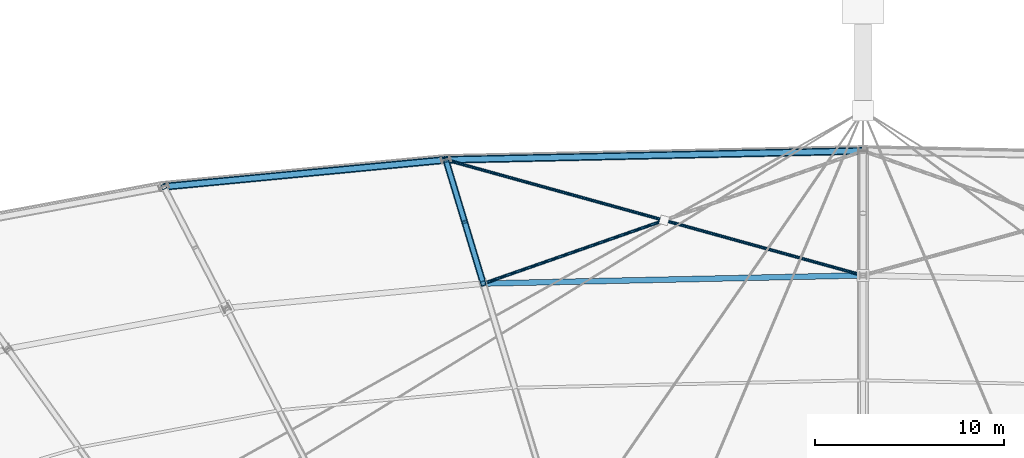
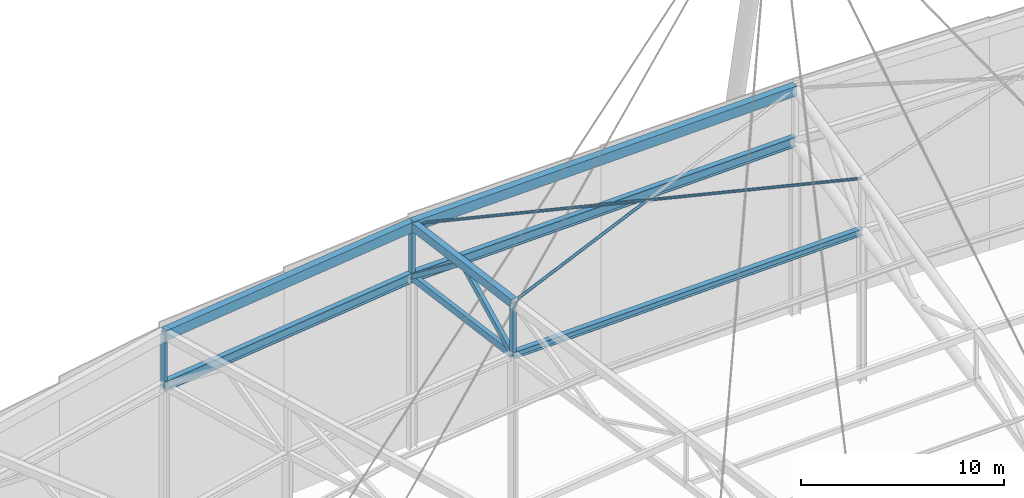
# One storey, part 93 of 143: 7 beams, 7 members.
"""IFC4 building model written with IfcOpenShell, lengths in metres."""

from ifc_helpers import new_model, si_unit, direction, frame, origin, origin_2d, place, context, subcontext, project, spatial, hollow_rectangle, hollow_circle, i_section, extrude, material, material_profile, profile_set, type_object, element, save


model = new_model("IFC4")

# Units and contexts
model_context = context("Model", 3, precision=1e-05, world=origin(), true_north=direction((0.0, 1.0)))
body_context = subcontext(model_context, "Body", "Model", "MODEL_VIEW")
ifc_project = project(units=[si_unit("LENGTHUNIT", "METRE"), si_unit("AREAUNIT", "SQUARE_METRE"), si_unit("VOLUMEUNIT", "CUBIC_METRE"), si_unit("PLANEANGLEUNIT", "RADIAN"), si_unit("MASSUNIT", "GRAM", prefix="KILO")], contexts=[model_context])

# Site, building, storey
site_placement = place(None, origin())
site = spatial("IfcSite", under=ifc_project, at=site_placement, CompositionType="ELEMENT")
building_placement = place(site_placement, origin())
building = spatial("IfcBuilding", under=site, at=building_placement, Name="Mphavela Belvedere Stadium", CompositionType="ELEMENT")
storey_placement = place(building_placement, frame((0.0, 0.0, 28.800048828125)))
storey = spatial("IfcBuildingStorey", under=building, at=storey_placement, Name="RF", CompositionType="ELEMENT", Elevation=28.800048828125)

# Beams
ifc_material_1 = material(Name="Steel S355", Category="steel")
ifc_material_profile_1 = material_profile(ifc_material_1, hollow_rectangle(XDim=0.39990234375, YDim=0.60009765625, WallThickness=0.02001953125, at=origin_2d()), Name="RHS 600x400x20")
ifc_profile_set_1 = profile_set([ifc_material_profile_1], Name="Steel S355")
beam_type_1 = type_object("IfcBeamType", Name="BM-RING-OUT", PredefinedType="BEAM", material=ifc_profile_set_1)
beam_1_placement = place(storey_placement, frame((115.0, 160.669921875, 13.60595703125), z_axis=(-0.999741024299, -0.021522118296, -0.007394779107), x_axis=(0.021522706765, -0.999768359718, 0.0)))
element("IfcBeam", 1, at=beam_1_placement, inside=storey, type_object=beam_type_1, Name="Perimeter compression ring beam RB-OUT-13", PredefinedType="BEAM", context=body_context, shape_type="SweptSolid", body=[
    extrude(hollow_rectangle(XDim=0.39990234375, YDim=0.60009765625, WallThickness=0.02001953125, at=origin_2d()), origin(), (0.0, 0.0, 1.0), 22.1201171875),
])
beam_2_placement = place(storey_placement, frame((92.885498046875, 160.19384765625, 13.4423828125), z_axis=(-0.994976959391, -0.094887306366, -0.031894347031), x_axis=(0.094935605244, -0.995483415661, 0.0)))
element("IfcBeam", 2, at=beam_2_placement, inside=storey, type_object=beam_type_1, Name="Perimeter compression ring beam RB-OUT-14", PredefinedType="BEAM", context=body_context, shape_type="SweptSolid", body=[
    extrude(hollow_rectangle(XDim=0.39990234375, YDim=0.60009765625, WallThickness=0.02001953125, at=origin_2d()), origin(), (0.0, 0.0, 1.0), 15.03369140625),
])
ifc_material_2 = material(Name="Steel S355", Category="steel")
ifc_material_profile_2 = material_profile(ifc_material_2, i_section(OverallWidth=0.300048828125, OverallDepth=0.39990234375, WebThickness=0.013427734375, FlangeThickness=0.02392578125, at=origin_2d()), Name="HEB 400")
ifc_profile_set_2 = profile_set([ifc_material_profile_2], Name="Steel S355")
beam_type_2 = type_object("IfcBeamType", Name="BM-STEEL-HEB400", PredefinedType="BEAM", material=ifc_profile_set_2)
beam_3_placement = place(storey_placement, frame((115.0, 154.0673828125, 9.071044921875), z_axis=(-0.999741088548, -0.021518971093, -0.007395252037), x_axis=(0.02151955955, -0.999768427465, 0.0)))
element("IfcBeam", 3, at=beam_3_placement, inside=storey, type_object=beam_type_2, Name="Roof bottom-chord tie girder R3-13", PredefinedType="BEAM", context=body_context, shape_type="SweptSolid", body=[
    extrude(i_section(OverallWidth=0.300048828125, OverallDepth=0.39990234375, WebThickness=0.013427734375, FlangeThickness=0.02392578125, at=origin_2d()), origin(), (0.0, 0.0, 1.0), 20.137939453125),
])
ifc_material_3 = material(Name="Steel S355", Category="steel")
ifc_material_profile_3 = material_profile(ifc_material_3, i_section(OverallWidth=0.300048828125, OverallDepth=0.60009765625, WebThickness=0.015380859375, FlangeThickness=0.030029296875, at=origin_2d()), Name="HEB 600")
ifc_profile_set_3 = profile_set([ifc_material_profile_3], Name="Steel S355")
beam_type_3 = type_object("IfcBeamType", Name="BM-STEEL-HEB600", PredefinedType="BEAM", material=ifc_profile_set_3)
beam_4_placement = place(storey_placement, frame((115.0, 160.669921875, 10.510986328125), z_axis=(-0.999741024299, -0.021522118296, -0.007394779107), x_axis=(0.021522706765, -0.999768359718, 0.0)))
element("IfcBeam", 4, at=beam_4_placement, inside=storey, type_object=beam_type_3, Name="Roof bottom-chord tie girder R4-13", PredefinedType="BEAM", context=body_context, shape_type="SweptSolid", body=[
    extrude(i_section(OverallWidth=0.300048828125, OverallDepth=0.60009765625, WebThickness=0.015380859375, FlangeThickness=0.030029296875, at=origin_2d()), origin(), (0.0, 0.0, 1.0), 22.1201171875),
])
beam_5_placement = place(storey_placement, frame((92.885498046875, 160.19384765625, 10.347412109375), z_axis=(-0.994976959391, -0.094887306366, -0.031894347031), x_axis=(0.094935605244, -0.995483415661, 0.0)))
element("IfcBeam", 5, at=beam_5_placement, inside=storey, type_object=beam_type_3, Name="Roof bottom-chord tie girder R4-14", PredefinedType="BEAM", context=body_context, shape_type="SweptSolid", body=[
    extrude(i_section(OverallWidth=0.300048828125, OverallDepth=0.60009765625, WebThickness=0.015380859375, FlangeThickness=0.030029296875, at=origin_2d()), origin(), (0.0, 0.0, 1.0), 15.03369140625),
])
ifc_material_4 = material(Name="Steel S355", Category="steel")
ifc_material_profile_4 = material_profile(ifc_material_4, hollow_rectangle(XDim=0.25, YDim=0.39990234375, WallThickness=0.01611328125, at=origin_2d()), Name="RHS 400x250x16")
ifc_profile_set_4 = profile_set([ifc_material_profile_4], Name="Steel S355")
beam_type_4 = type_object("IfcBeamType", Name="BM-TRUSS-BC2", PredefinedType="BEAM", material=ifc_profile_set_4)
beam_6_placement = place(storey_placement, frame((92.885498046875, 160.19384765625, 10.347412109375), z_axis=(0.283128197914, -0.937214679037, -0.203634645734), x_axis=(0.95727245631, 0.28918755919, 0.0)))
element("IfcBeam", 6, at=beam_6_placement, inside=storey, type_object=beam_type_4, Name="Radial roof truss RT-14 bottom chord 1", PredefinedType="BEAM", context=body_context, shape_type="SweptSolid", body=[
    extrude(hollow_rectangle(XDim=0.25, YDim=0.39990234375, WallThickness=0.01611328125, at=origin_2d()), origin(), (0.0, 0.0, 1.0), 6.999267578125),
])
ifc_material_5 = material(Name="Steel S355", Category="steel")
ifc_material_profile_5 = material_profile(ifc_material_5, hollow_rectangle(XDim=0.35009765625, YDim=0.5, WallThickness=0.02001953125, at=origin_2d()), Name="RHS 500x350x20")
ifc_profile_set_5 = profile_set([ifc_material_profile_5], Name="Steel S355")
beam_type_5 = type_object("IfcBeamType", Name="BM-TRUSS-TC2", PredefinedType="BEAM", material=ifc_profile_set_5)
beam_7_placement = place(storey_placement, frame((92.885498046875, 160.19384765625, 13.497314453125), z_axis=(0.283130208811, -0.937221335535, -0.203601210894), x_axis=(0.95727245631, 0.28918755919, 0.0)))
element("IfcBeam", 7, at=beam_7_placement, inside=storey, type_object=beam_type_5, Name="Radial roof truss RT-14 top chord 1", PredefinedType="BEAM", context=body_context, shape_type="SweptSolid", body=[
    extrude(hollow_rectangle(XDim=0.35009765625, YDim=0.5, WallThickness=0.02001953125, at=origin_2d()), origin(), (0.0, 0.0, 1.0), 6.999267578125),
])

# Members
ifc_material_6 = material(Name="Steel S355", Category="steel")
ifc_material_profile_6 = material_profile(ifc_material_6, hollow_rectangle(XDim=0.25, YDim=0.25, WallThickness=0.012451171875, at=origin_2d()), Name="SHS 250x250x12.5")
ifc_profile_set_6 = profile_set([ifc_material_profile_6], Name="Steel S355")
member_type_1 = type_object("IfcMemberType", Name="MEM-POST-SHS250", PredefinedType="POST", material=ifc_profile_set_6)
member_1_placement = place(storey_placement, frame((92.885498046875, 160.19384765625, 10.347412109375), z_axis=(0.0, 0.0, 1.0), x_axis=(-0.289198876314, 0.957269037387, 0.0)))
element("IfcMember", 8, at=member_1_placement, inside=storey, type_object=member_type_1, Name="Radial roof truss RT-14 post P1", PredefinedType="POST", context=body_context, shape_type="SweptSolid", body=[
    extrude(hollow_rectangle(XDim=0.25, YDim=0.25, WallThickness=0.012451171875, at=origin_2d()), origin(), (0.0, 0.0, 1.0), 3.14990234375),
])
member_2_placement = place(storey_placement, frame((94.8671875, 153.634033203125, 8.922119140625), z_axis=(0.0, 0.0, 1.0), x_axis=(-0.289198876314, 0.957269037387, 0.0)))
element("IfcMember", 9, at=member_2_placement, inside=storey, type_object=member_type_1, Name="Radial roof truss RT-14 post P2", PredefinedType="POST", context=body_context, shape_type="SweptSolid", body=[
    extrude(hollow_rectangle(XDim=0.25, YDim=0.25, WallThickness=0.012451171875, at=origin_2d()), origin(), (0.0, 0.0, 1.0), 3.150146484375),
])
member_3_placement = place(storey_placement, frame((92.885498046875, 160.19384765625, 10.347412109375), z_axis=(0.235671930257, -0.780057251293, 0.579628696662), x_axis=(0.957265573066, 0.289210343214, 0.0)))
element("IfcMember", 10, at=member_3_placement, inside=storey, type_object=member_type_1, Name="Radial roof truss RT-14 web diagonal D1", PredefinedType="POST", context=body_context, shape_type="SweptSolid", body=[
    extrude(hollow_rectangle(XDim=0.25, YDim=0.25, WallThickness=0.012451171875, at=origin_2d()), origin(), (0.0, 0.0, 1.0), 4.204833984375),
])
member_4_placement = place(storey_placement, frame((93.87646484375, 156.913818359375, 12.78466796875), z_axis=(0.191884501069, -0.635233215219, -0.748103669642), x_axis=(0.957279339623, 0.289164772978, 0.0)))
element("IfcMember", 11, at=member_4_placement, inside=storey, type_object=member_type_1, Name="Radial roof truss RT-14 web diagonal D2", PredefinedType="POST", context=body_context, shape_type="SweptSolid", body=[
    extrude(hollow_rectangle(XDim=0.25, YDim=0.25, WallThickness=0.012451171875, at=origin_2d()), origin(), (0.0, 0.0, 1.0), 5.1630859375),
])
member_5_placement = place(storey_placement, frame((77.92724609375, 158.767333984375, 9.867919921875), z_axis=(0.0, 0.0, 1.0), x_axis=(-0.458959712465, 0.888457079624, 0.0)))
element("IfcMember", 12, at=member_5_placement, inside=storey, type_object=member_type_1, Name="Radial roof truss RT-15 post P1", PredefinedType="POST", context=body_context, shape_type="SweptSolid", body=[
    extrude(hollow_rectangle(XDim=0.25, YDim=0.25, WallThickness=0.012451171875, at=origin_2d()), origin(), (0.0, 0.0, 1.0), 3.14990234375),
])
ifc_material_7 = material(Name="Steel S355", Category="steel")
ifc_material_profile_7 = material_profile(ifc_material_7, hollow_circle(Radius=0.084228515625, WallThickness=0.010009765625, at=origin_2d()), Name="CHS 168.3x10")
ifc_profile_set_7 = profile_set([ifc_material_profile_7], Name="Steel S355")
member_type_2 = type_object("IfcMemberType", Name="MEM-ROOF-XBRACE", PredefinedType="BRACE", material=ifc_profile_set_7)
member_6_placement = place(storey_placement, frame((115.0, 154.0673828125, 12.220947265625), z_axis=(-0.962215299146, 0.266566175211, 0.055535505061), x_axis=(-0.266978199203, -0.96370256882, 0.0)))
element("IfcMember", 13, at=member_6_placement, inside=storey, type_object=member_type_2, Name="Roof diaphragm continuous X-brace A 13", PredefinedType="BRACE", context=body_context, shape_type="SweptSolid", body=[
    extrude(hollow_circle(Radius=0.084228515625, WallThickness=0.010009765625, at=origin_2d()), origin(), (0.0, 0.0, 1.0), 22.98291015625),
])
member_7_placement = place(storey_placement, frame((104.46142578125, 156.987060546875, 12.829345703125), z_axis=(-0.941401990804, -0.329004400776, -0.074285907005), x_axis=(0.329915963571, -0.944010305548, 0.0)))
element("IfcMember", 14, at=member_7_placement, inside=storey, type_object=member_type_2, Name="Roof diaphragm split X-brace B2 13", PredefinedType="BRACE", context=body_context, shape_type="SweptSolid", body=[
    extrude(hollow_circle(Radius=0.084228515625, WallThickness=0.010009765625, at=origin_2d()), origin(), (0.0, 0.0, 1.0), 10.19140625),
])

save(model, "model.ifc")
